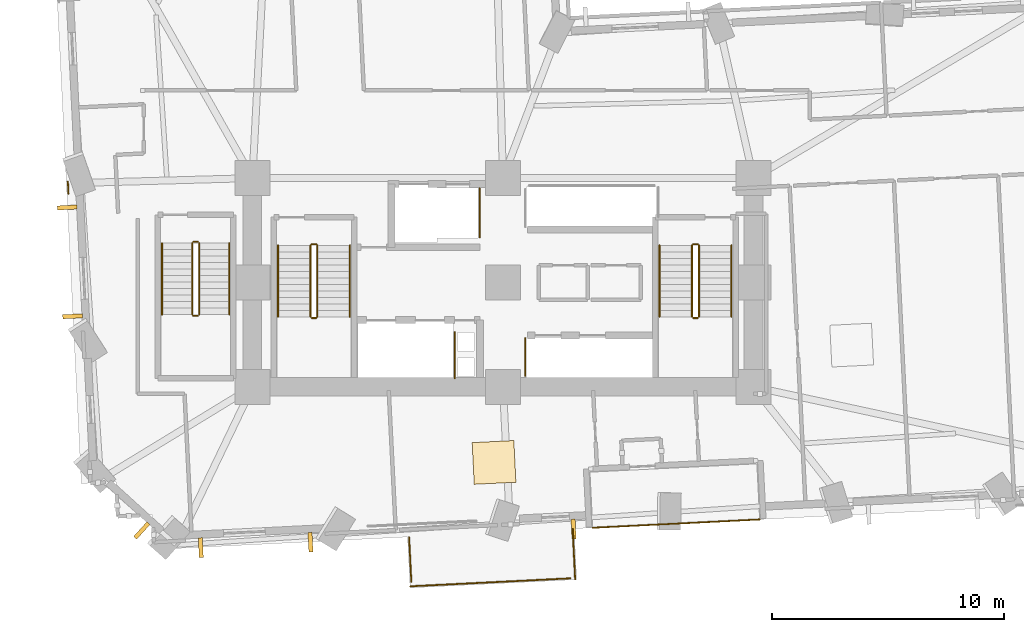
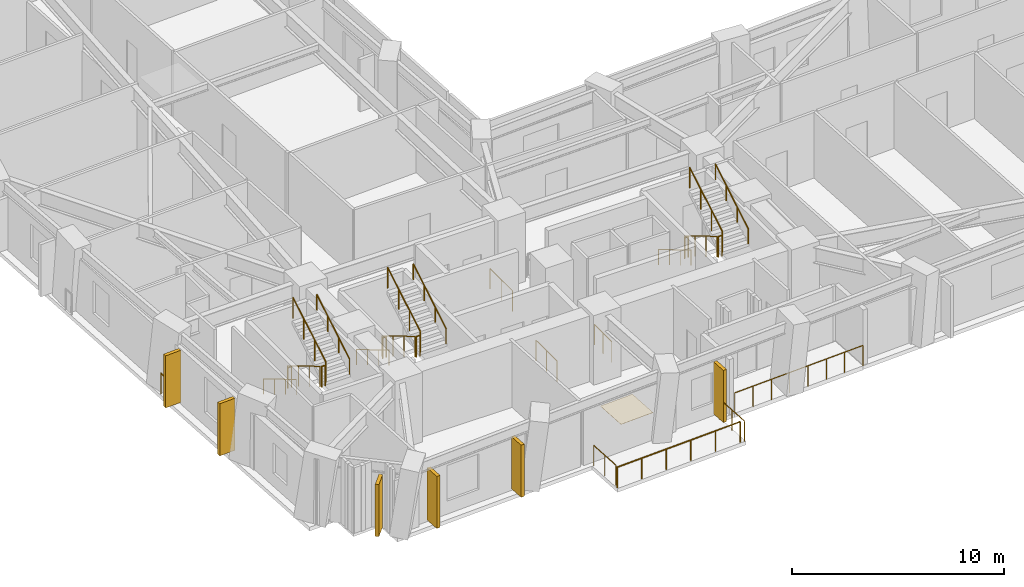
# One storey, part 12 of 15: 26 railings, 6 shading devices, 1 covering.
"""IFC4 building model written with IfcOpenShell, lengths in metres."""

from ifc_helpers import new_model, si_unit, direction, frame, origin, origin_2d, place, context, subcontext, project, spatial, rectangle, circle, extrude, material, layer, layer_set, type_object, element, save


model = new_model("IFC4")

# Units and contexts
model_context = context("Model", 3, precision=1e-05, world=origin(), true_north=direction((0.0, 1.0)))
body_context = subcontext(model_context, "Body", "Model", "MODEL_VIEW")
ifc_project = project(units=[si_unit("LENGTHUNIT", "METRE"), si_unit("AREAUNIT", "SQUARE_METRE"), si_unit("VOLUMEUNIT", "CUBIC_METRE"), si_unit("PLANEANGLEUNIT", "RADIAN"), si_unit("MASSUNIT", "GRAM", prefix="KILO")], contexts=[model_context])

# Site, building, storey
site_placement = place(None, origin())
site = spatial("IfcSite", under=ifc_project, at=site_placement, CompositionType="ELEMENT")
building_placement = place(site_placement, origin())
building = spatial("IfcBuilding", under=site, at=building_placement, Name="Gaonmaruhae Medical Tower", CompositionType="ELEMENT")
storey_placement = place(building_placement, frame((0.0, 0.0, 35.0)))
storey = spatial("IfcBuildingStorey", under=building, at=storey_placement, Name="L07", CompositionType="ELEMENT", Elevation=35.0)

# Covering
ifc_material_1 = material(Name="Seamless clinical vinyl flooring", Category="finish")
ifc_layer_1 = layer(ifc_material_1, 0.014892578125)
ifc_layer_set_1 = layer_set([ifc_layer_1], Name="Seamless clinical vinyl flooring")
covering_type = type_object("IfcCoveringType", Name="FLR-01 Seamless Clinical Antistatic Vinyl Flooring", PredefinedType="FLOORING", material=ifc_layer_set_1)
covering_placement = place(storey_placement, frame((24.414794921875, 4.543212890625, 0.0), z_axis=(0.0, 0.0, 1.0), x_axis=(0.998763127564, 0.049721373869, 0.0)))
element("IfcCovering", 1, at=covering_placement, inside=storey, type_object=covering_type, Name="L07 Clinical Room Vinyl Flooring 2", PredefinedType="FLOORING", context=body_context, shape_type="SweptSolid", body=[
    extrude(rectangle(XDim=1.800048828125, YDim=1.800048828125, at=origin_2d()), origin(), (0.0, 0.0, 1.0), 0.014892578125),
])

# Railings
ifc_material_2 = material(Name="Stainless steel 316L and laminated safety glass", Category="steel")
ifc_layer_2 = layer(ifc_material_2, 0.080078125)
ifc_layer_set_2 = layer_set([ifc_layer_2], Name="Stainless steel 316L and laminated safety glass")
railing_type_1 = type_object("IfcRailingType", Name="GD-120 Outdoor Terrace Safety Glass & Steel Balustrade", PredefinedType="BALUSTRADE", material=ifc_layer_set_2)
railing_1_placement = place(storey_placement, frame((28.672119140625, 1.726318359375, 0.0)))
element("IfcRailing", 2, at=railing_1_placement, inside=storey, type_object=railing_type_1, Name="L07 Terrace Safety Guard RL-SLB-L07-TER-01", PredefinedType="BALUSTRADE", context=body_context, shape_type="SweptSolid", body=[
    extrude(circle(Radius=0.02392578125, at=origin_2d()), frame((0.0, 0.0, 1.17578125), z_axis=(0.9987620442, 0.049743130838, 0.0), x_axis=(-0.049743130838, 0.9987620442, 0.0)), (0.0, 0.0, 1.0), 7.2001953125),
    extrude(circle(Radius=0.02099609375, at=origin_2d()), origin(), (0.0, 0.0, 1.0), 1.15185546875),
    extrude(circle(Radius=0.02099609375, at=origin_2d()), frame((1.02734375, 0.05126953125, 0.0)), (0.0, 0.0, 1.0), 1.15185546875),
    extrude(circle(Radius=0.02099609375, at=origin_2d()), frame((2.0546875, 0.102294921875, 0.0)), (0.0, 0.0, 1.0), 1.15185546875),
    extrude(circle(Radius=0.02099609375, at=origin_2d()), frame((3.08203125, 0.153564453125, 0.0)), (0.0, 0.0, 1.0), 1.15185546875),
    extrude(circle(Radius=0.02099609375, at=origin_2d()), frame((4.109130859375, 0.20458984375, 0.0)), (0.0, 0.0, 1.0), 1.15185546875),
    extrude(circle(Radius=0.02099609375, at=origin_2d()), frame((5.136474609375, 0.255859375, 0.0)), (0.0, 0.0, 1.0), 1.15185546875),
    extrude(circle(Radius=0.02099609375, at=origin_2d()), frame((6.163818359375, 0.306884765625, 0.0)), (0.0, 0.0, 1.0), 1.15185546875),
    extrude(circle(Radius=0.02099609375, at=origin_2d()), frame((7.191162109375, 0.358154296875, 0.0)), (0.0, 0.0, 1.0), 1.15185546875),
])
railing_2_placement = place(storey_placement, frame((6.067138671875, 16.128662109375, 0.0)))
element("IfcRailing", 3, at=railing_2_placement, inside=storey, type_object=railing_type_1, Name="L07 Perimeter Slab Edge Safety Balustrade 01", PredefinedType="BALUSTRADE", context=body_context, shape_type="SweptSolid", body=[
    extrude(circle(Radius=0.02392578125, at=origin_2d()), frame((0.0, 0.0, 1.17578125), z_axis=(-0.049797032909, 0.998759358161, 0.0), x_axis=(-0.998759358161, -0.049797032909, 0.0)), (0.0, 0.0, 1.0), 0.519775390625),
    extrude(circle(Radius=0.02099609375, at=origin_2d()), origin(), (0.0, 0.0, 1.0), 1.15185546875),
    extrude(circle(Radius=0.02099609375, at=origin_2d()), frame((-0.02587890625, 0.51904296875, 0.0)), (0.0, 0.0, 1.0), 1.15185546875),
])
railing_3_placement = place(storey_placement, frame((27.80419921875, 1.6630859375, 0.0)))
element("IfcRailing", 4, at=railing_3_placement, inside=storey, type_object=railing_type_1, Name="L07 Perimeter Slab Edge Safety Balustrade 08", PredefinedType="BALUSTRADE", context=body_context, shape_type="SweptSolid", body=[
    extrude(circle(Radius=0.02392578125, at=origin_2d()), frame((0.0, 0.0, 1.17578125), z_axis=(0.049734663308, -0.998762465887, 0.0), x_axis=(0.998762465887, 0.049734663308, 0.0)), (0.0, 0.0, 1.0), 2.159912109375),
    extrude(circle(Radius=0.02099609375, at=origin_2d()), origin(), (0.0, 0.0, 1.0), 1.15185546875),
    extrude(circle(Radius=0.02099609375, at=origin_2d()), frame((0.0537109375, -1.07861328125, 0.0)), (0.0, 0.0, 1.0), 1.15185546875),
    extrude(circle(Radius=0.02099609375, at=origin_2d()), frame((0.107421875, -2.1572265625, 0.0)), (0.0, 0.0, 1.0), 1.15185546875),
])
railing_4_placement = place(storey_placement, frame((27.7080078125, -0.4541015625, 0.0)))
element("IfcRailing", 5, at=railing_4_placement, inside=storey, type_object=railing_type_1, Name="L07 Perimeter Slab Edge Safety Balustrade 09", PredefinedType="BALUSTRADE", context=body_context, shape_type="SweptSolid", body=[
    extrude(circle(Radius=0.02392578125, at=origin_2d()), frame((0.0, 0.0, 1.17578125), z_axis=(-0.998763154744, -0.049720827892, 0.0), x_axis=(0.049720827892, -0.998763154744, 0.0)), (0.0, 0.0, 1.0), 6.90869140625),
    extrude(circle(Radius=0.02099609375, at=origin_2d()), origin(), (0.0, 0.0, 1.0), 1.15185546875),
    extrude(circle(Radius=0.02099609375, at=origin_2d()), frame((-1.380126953125, -0.068603515625, 0.0)), (0.0, 0.0, 1.0), 1.15185546875),
    extrude(circle(Radius=0.02099609375, at=origin_2d()), frame((-2.760009765625, -0.137451171875, 0.0)), (0.0, 0.0, 1.0), 1.15185546875),
    extrude(circle(Radius=0.02099609375, at=origin_2d()), frame((-4.14013671875, -0.2060546875, 0.0)), (0.0, 0.0, 1.0), 1.15185546875),
    extrude(circle(Radius=0.02099609375, at=origin_2d()), frame((-5.52001953125, -0.27490234375, 0.0)), (0.0, 0.0, 1.0), 1.15185546875),
    extrude(circle(Radius=0.02099609375, at=origin_2d()), frame((-6.900146484375, -0.343505859375, 0.0)), (0.0, 0.0, 1.0), 1.15185546875),
])
railing_5_placement = place(storey_placement, frame((20.848388671875, -0.60693359375, 0.0)))
element("IfcRailing", 6, at=railing_5_placement, inside=storey, type_object=railing_type_1, Name="L07 Perimeter Slab Edge Safety Balustrade 10", PredefinedType="BALUSTRADE", context=body_context, shape_type="SweptSolid", body=[
    extrude(circle(Radius=0.02392578125, at=origin_2d()), frame((0.0, 0.0, 1.17578125), z_axis=(-0.049677805695, 0.998765295563, 0.0), x_axis=(-0.998765295563, -0.049677805695, 0.0)), (0.0, 0.0, 1.0), 1.921630859375),
    extrude(circle(Radius=0.02099609375, at=origin_2d()), origin(), (0.0, 0.0, 1.0), 1.15185546875),
    extrude(circle(Radius=0.02099609375, at=origin_2d()), frame((-0.0478515625, 0.95947265625, 0.0)), (0.0, 0.0, 1.0), 1.15185546875),
    extrude(circle(Radius=0.02099609375, at=origin_2d()), frame((-0.095458984375, 1.919189453125, 0.0)), (0.0, 0.0, 1.0), 1.15185546875),
])
ifc_material_3 = material(Name="Stainless steel 304 handrail", Category="steel")
railing_type_2 = type_object("IfcRailingType", Name="HR-092 Continuous Stainless Steel Stair Handrail", PredefinedType="HANDRAIL", material=ifc_material_3)
railing_6_placement = place(storey_placement, frame((15.10009765625, 13.89990234375, 0.166748046875)))
element("IfcRailing", 7, at=railing_6_placement, inside=storey, type_object=railing_type_2, Name="L07 ST-01 stair handrail 1", PredefinedType="HANDRAIL", context=body_context, shape_type="SweptSolid", body=[
    extrude(circle(Radius=0.02392578125, at=origin_2d()), frame((0.0, 0.0, 0.8759765625), z_axis=(0.0, -0.859290745958, 0.51148745235), x_axis=(1.0, 0.0, 0.0)), (0.0, 0.0, 1.0), 3.584228515625),
    extrude(circle(Radius=0.02099609375, at=origin_2d()), origin(), (0.0, 0.0, 1.0), 0.851806640625),
    extrude(circle(Radius=0.02099609375, at=origin_2d()), frame((0.0, -1.026611328125, 0.611083984375)), (0.0, 0.0, 1.0), 0.851806640625),
    extrude(circle(Radius=0.02099609375, at=origin_2d()), frame((0.0, -2.05322265625, 1.22216796875)), (0.0, 0.0, 1.0), 0.851806640625),
    extrude(circle(Radius=0.02099609375, at=origin_2d()), frame((0.0, -3.079833984375, 1.833251953125)), (0.0, 0.0, 1.0), 0.851806640625),
])
railing_7_placement = place(storey_placement, frame((18.199951171875, 10.820068359375, 2.166748046875)))
element("IfcRailing", 8, at=railing_7_placement, inside=storey, type_object=railing_type_2, Name="L07 ST-01 stair handrail 2", PredefinedType="HANDRAIL", context=body_context, shape_type="SweptSolid", body=[
    extrude(circle(Radius=0.02392578125, at=origin_2d()), frame((0.0, 0.0, 0.8759765625), z_axis=(0.0, 0.859290745958, 0.51148745235), x_axis=(-1.0, 0.0, 0.0)), (0.0, 0.0, 1.0), 3.584228515625),
    extrude(circle(Radius=0.02099609375, at=origin_2d()), origin(), (0.0, 0.0, 1.0), 0.851806640625),
    extrude(circle(Radius=0.02099609375, at=origin_2d()), frame((0.0, 1.026611328125, 0.611083984375)), (0.0, 0.0, 1.0), 0.851806640625),
    extrude(circle(Radius=0.02099609375, at=origin_2d()), frame((0.0, 2.05322265625, 1.22216796875)), (0.0, 0.0, 1.0), 0.851806640625),
    extrude(circle(Radius=0.02099609375, at=origin_2d()), frame((0.0, 3.079833984375, 1.833251953125)), (0.0, 0.0, 1.0), 0.851806640625),
])
railing_8_placement = place(storey_placement, frame((31.550048828125, 13.89990234375, 0.166748046875)))
element("IfcRailing", 9, at=railing_8_placement, inside=storey, type_object=railing_type_2, Name="L07 ST-02 stair handrail 1", PredefinedType="HANDRAIL", context=body_context, shape_type="SweptSolid", body=[
    extrude(circle(Radius=0.02392578125, at=origin_2d()), frame((0.0, 0.0, 0.8759765625), z_axis=(0.0, -0.859290745958, 0.51148745235), x_axis=(1.0, 0.0, 0.0)), (0.0, 0.0, 1.0), 3.584228515625),
    extrude(circle(Radius=0.02099609375, at=origin_2d()), origin(), (0.0, 0.0, 1.0), 0.851806640625),
    extrude(circle(Radius=0.02099609375, at=origin_2d()), frame((0.0, -1.026611328125, 0.611083984375)), (0.0, 0.0, 1.0), 0.851806640625),
    extrude(circle(Radius=0.02099609375, at=origin_2d()), frame((0.0, -2.05322265625, 1.22216796875)), (0.0, 0.0, 1.0), 0.851806640625),
    extrude(circle(Radius=0.02099609375, at=origin_2d()), frame((0.0, -3.079833984375, 1.833251953125)), (0.0, 0.0, 1.0), 0.851806640625),
])
railing_9_placement = place(storey_placement, frame((34.64990234375, 10.820068359375, 2.166748046875)))
element("IfcRailing", 10, at=railing_9_placement, inside=storey, type_object=railing_type_2, Name="L07 ST-02 stair handrail 2", PredefinedType="HANDRAIL", context=body_context, shape_type="SweptSolid", body=[
    extrude(circle(Radius=0.02392578125, at=origin_2d()), frame((0.0, 0.0, 0.8759765625), z_axis=(0.0, 0.859290745958, 0.51148745235), x_axis=(-1.0, 0.0, 0.0)), (0.0, 0.0, 1.0), 3.584228515625),
    extrude(circle(Radius=0.02099609375, at=origin_2d()), origin(), (0.0, 0.0, 1.0), 0.851806640625),
    extrude(circle(Radius=0.02099609375, at=origin_2d()), frame((0.0, 1.026611328125, 0.611083984375)), (0.0, 0.0, 1.0), 0.851806640625),
    extrude(circle(Radius=0.02099609375, at=origin_2d()), frame((0.0, 2.05322265625, 1.22216796875)), (0.0, 0.0, 1.0), 0.851806640625),
    extrude(circle(Radius=0.02099609375, at=origin_2d()), frame((0.0, 3.079833984375, 1.833251953125)), (0.0, 0.0, 1.0), 0.851806640625),
])
railing_10_placement = place(storey_placement, frame((10.10009765625, 14.0, 0.166748046875)))
element("IfcRailing", 11, at=railing_10_placement, inside=storey, type_object=railing_type_2, Name="L07 ST-03 stair handrail 1", PredefinedType="HANDRAIL", context=body_context, shape_type="SweptSolid", body=[
    extrude(circle(Radius=0.02392578125, at=origin_2d()), frame((0.0, 0.0, 0.8759765625), z_axis=(0.0, -0.859308565015, 0.511457515432), x_axis=(1.0, 0.0, 0.0)), (0.0, 0.0, 1.0), 3.58447265625),
    extrude(circle(Radius=0.02099609375, at=origin_2d()), origin(), (0.0, 0.0, 1.0), 0.851806640625),
    extrude(circle(Radius=0.02099609375, at=origin_2d()), frame((0.0, -1.026611328125, 0.611083984375)), (0.0, 0.0, 1.0), 0.851806640625),
    extrude(circle(Radius=0.02099609375, at=origin_2d()), frame((0.0, -2.053466796875, 1.22216796875)), (0.0, 0.0, 1.0), 0.851806640625),
    extrude(circle(Radius=0.02099609375, at=origin_2d()), frame((0.0, -3.080078125, 1.833251953125)), (0.0, 0.0, 1.0), 0.851806640625),
])
railing_11_placement = place(storey_placement, frame((13.0, 10.919921875, 2.166748046875)))
element("IfcRailing", 12, at=railing_11_placement, inside=storey, type_object=railing_type_2, Name="L07 ST-03 stair handrail 2", PredefinedType="HANDRAIL", context=body_context, shape_type="SweptSolid", body=[
    extrude(circle(Radius=0.02392578125, at=origin_2d()), frame((0.0, 0.0, 0.8759765625), z_axis=(0.0, 0.859308565015, 0.511457515432), x_axis=(-1.0, 0.0, 0.0)), (0.0, 0.0, 1.0), 3.58447265625),
    extrude(circle(Radius=0.02099609375, at=origin_2d()), origin(), (0.0, 0.0, 1.0), 0.851806640625),
    extrude(circle(Radius=0.02099609375, at=origin_2d()), frame((0.0, 1.026611328125, 0.611083984375)), (0.0, 0.0, 1.0), 0.851806640625),
    extrude(circle(Radius=0.02099609375, at=origin_2d()), frame((0.0, 2.053466796875, 1.22216796875)), (0.0, 0.0, 1.0), 0.851806640625),
    extrude(circle(Radius=0.02099609375, at=origin_2d()), frame((0.0, 3.080078125, 1.833251953125)), (0.0, 0.0, 1.0), 0.851806640625),
])

# Shading devices
ifc_material_4 = material(Name="Pigmented coral precast concrete C45/55", Category="concrete")
shading_device_type = type_object("IfcShadingDeviceType", Name="SD-FIN1 Tower Vertical Coral Precast Shading Fin", PredefinedType="USERDEFINED", material=ifc_material_4)
for number, where, z_axis, x_axis, name in (
    (13, (16.501220703125, 1.10546875, 0.08251953125), (0.0, 0.0, 1.0), (-0.998763127564, -0.049721373869, 0.0), "L07 Vertical Coral Precast Shading Fin S01"),
    (14, (11.772705078125, 0.8701171875, 0.08251953125), (0.0, 0.0, 1.0), (-0.998763127564, -0.049721373869, 0.0), "L07 Vertical Coral Precast Shading Fin S01B"),
    (15, (27.843994140625, 1.670166015625, 0.072509765625), (0.0, 0.0, 1.0), (-0.998763995213, -0.049703942156, 0.0), "L07 Vertical Coral Precast Shading Fin S03"),
    (16, (6.2451171875, 10.843017578125, 0.08251953125), (0.0, 0.0, 1.0), (-0.049703942156, 0.998763995213, 0.0), "L07 Vertical Coral Precast Shading Fin W05"),
    (17, (6.01171875, 15.5341796875, 0.08251953125), (0.0, 0.0, 1.0), (-0.049703942156, 0.998763995213, 0.0), "L07 Vertical Coral Precast Shading Fin W05B"),
    (18, (9.2275390625, 1.60595703125, 0.08251953125), (0.0, 0.0, 1.0), (-0.741390500932, 0.671073859667, 0.0), "L07 Vertical Coral Precast Shading Fin W07"),
):
    element("IfcShadingDevice", number, at=place(storey_placement, frame(where, z_axis=z_axis, x_axis=x_axis)), inside=storey, type_object=shading_device_type, Name=name, ObjectType="FIN", PredefinedType="USERDEFINED", context=body_context, shape_type="SweptSolid", body=[
        extrude(rectangle(XDim=0.179931640625, YDim=0.85009765625, at=origin_2d()), origin(), (0.0, 0.0, 1.0), 3.0),
    ])

# Railings
ifc_material_5 = material(Name="Stainless steel 304 balustrade", Category="steel")
railing_type_3 = type_object("IfcRailingType", Name="SG-112 Stair Well & Ramp Void Safety Balustrade", PredefinedType="BALUSTRADE", material=ifc_material_5)
railing_12_placement = place(storey_placement, frame((16.5, 13.89990234375, 0.166748046875)))
element("IfcRailing", 19, at=railing_12_placement, inside=storey, type_object=railing_type_3, Name="L07 ST-01 stair guard 1", PredefinedType="BALUSTRADE", context=body_context, shape_type="SweptSolid", body=[
    extrude(circle(Radius=0.02392578125, at=origin_2d()), frame((0.0, 0.0, 1.17578125), z_axis=(0.0, -0.859290745958, 0.51148745235), x_axis=(1.0, 0.0, 0.0)), (0.0, 0.0, 1.0), 3.584228515625),
    extrude(circle(Radius=0.02099609375, at=origin_2d()), origin(), (0.0, 0.0, 1.0), 1.15185546875),
    extrude(circle(Radius=0.02099609375, at=origin_2d()), frame((0.0, -1.026611328125, 0.611083984375)), (0.0, 0.0, 1.0), 1.15185546875),
    extrude(circle(Radius=0.02099609375, at=origin_2d()), frame((0.0, -2.05322265625, 1.22216796875)), (0.0, 0.0, 1.0), 1.15185546875),
    extrude(circle(Radius=0.02099609375, at=origin_2d()), frame((0.0, -3.079833984375, 1.833251953125)), (0.0, 0.0, 1.0), 1.15185546875),
])
railing_13_placement = place(storey_placement, frame((16.550048828125, 10.77001953125, 2.0)))
element("IfcRailing", 20, at=railing_13_placement, inside=storey, type_object=railing_type_3, Name="L07 ST-01 stair guard 2", PredefinedType="BALUSTRADE", context=body_context, shape_type="SweptSolid", body=[
    extrude(circle(Radius=0.02392578125, at=origin_2d()), frame((0.0, 0.0, 1.17578125), z_axis=(1.0, 0.0, 0.0), x_axis=(0.0, 1.0, 0.0)), (0.0, 0.0, 1.0), 0.199951171875),
    extrude(circle(Radius=0.02099609375, at=origin_2d()), origin(), (0.0, 0.0, 1.0), 1.15185546875),
    extrude(circle(Radius=0.02099609375, at=origin_2d()), frame((0.199951171875, 0.0, 0.0)), (0.0, 0.0, 1.0), 1.15185546875),
])
railing_14_placement = place(storey_placement, frame((16.800048828125, 10.820068359375, 2.166748046875)))
element("IfcRailing", 21, at=railing_14_placement, inside=storey, type_object=railing_type_3, Name="L07 ST-01 stair guard 3", PredefinedType="BALUSTRADE", context=body_context, shape_type="SweptSolid", body=[
    extrude(circle(Radius=0.02392578125, at=origin_2d()), frame((0.0, 0.0, 1.17578125), z_axis=(0.0, 0.859290745958, 0.51148745235), x_axis=(-1.0, 0.0, 0.0)), (0.0, 0.0, 1.0), 3.584228515625),
    extrude(circle(Radius=0.02099609375, at=origin_2d()), origin(), (0.0, 0.0, 1.0), 1.15185546875),
    extrude(circle(Radius=0.02099609375, at=origin_2d()), frame((0.0, 1.026611328125, 0.611083984375)), (0.0, 0.0, 1.0), 1.15185546875),
    extrude(circle(Radius=0.02099609375, at=origin_2d()), frame((0.0, 2.05322265625, 1.22216796875)), (0.0, 0.0, 1.0), 1.15185546875),
    extrude(circle(Radius=0.02099609375, at=origin_2d()), frame((0.0, 3.079833984375, 1.833251953125)), (0.0, 0.0, 1.0), 1.15185546875),
])
railing_15_placement = place(storey_placement, frame((16.550048828125, 13.949951171875, 0.0)))
element("IfcRailing", 22, at=railing_15_placement, inside=storey, type_object=railing_type_3, Name="L07 ST-01 stair guard 4", PredefinedType="BALUSTRADE", context=body_context, shape_type="SweptSolid", body=[
    extrude(circle(Radius=0.02392578125, at=origin_2d()), frame((0.0, 0.0, 1.17578125), z_axis=(1.0, 0.0, 0.0), x_axis=(0.0, 1.0, 0.0)), (0.0, 0.0, 1.0), 0.199951171875),
    extrude(circle(Radius=0.02099609375, at=origin_2d()), origin(), (0.0, 0.0, 1.0), 1.15185546875),
    extrude(circle(Radius=0.02099609375, at=origin_2d()), frame((0.199951171875, 0.0, 0.0)), (0.0, 0.0, 1.0), 1.15185546875),
])
railing_16_placement = place(storey_placement, frame((32.949951171875, 13.89990234375, 0.166748046875)))
element("IfcRailing", 23, at=railing_16_placement, inside=storey, type_object=railing_type_3, Name="L07 ST-02 stair guard 1", PredefinedType="BALUSTRADE", context=body_context, shape_type="SweptSolid", body=[
    extrude(circle(Radius=0.02392578125, at=origin_2d()), frame((0.0, 0.0, 1.17578125), z_axis=(0.0, -0.859290745958, 0.51148745235), x_axis=(1.0, 0.0, 0.0)), (0.0, 0.0, 1.0), 3.584228515625),
    extrude(circle(Radius=0.02099609375, at=origin_2d()), origin(), (0.0, 0.0, 1.0), 1.15185546875),
    extrude(circle(Radius=0.02099609375, at=origin_2d()), frame((0.0, -1.026611328125, 0.611083984375)), (0.0, 0.0, 1.0), 1.15185546875),
    extrude(circle(Radius=0.02099609375, at=origin_2d()), frame((0.0, -2.05322265625, 1.22216796875)), (0.0, 0.0, 1.0), 1.15185546875),
    extrude(circle(Radius=0.02099609375, at=origin_2d()), frame((0.0, -3.079833984375, 1.833251953125)), (0.0, 0.0, 1.0), 1.15185546875),
])
railing_17_placement = place(storey_placement, frame((33.0, 10.77001953125, 2.0)))
element("IfcRailing", 24, at=railing_17_placement, inside=storey, type_object=railing_type_3, Name="L07 ST-02 stair guard 2", PredefinedType="BALUSTRADE", context=body_context, shape_type="SweptSolid", body=[
    extrude(circle(Radius=0.02392578125, at=origin_2d()), frame((0.0, 0.0, 1.17578125), z_axis=(1.0, 0.0, 0.0), x_axis=(0.0, 1.0, 0.0)), (0.0, 0.0, 1.0), 0.199951171875),
    extrude(circle(Radius=0.02099609375, at=origin_2d()), origin(), (0.0, 0.0, 1.0), 1.15185546875),
    extrude(circle(Radius=0.02099609375, at=origin_2d()), frame((0.199951171875, 0.0, 0.0)), (0.0, 0.0, 1.0), 1.15185546875),
])
railing_18_placement = place(storey_placement, frame((33.25, 10.820068359375, 2.166748046875)))
element("IfcRailing", 25, at=railing_18_placement, inside=storey, type_object=railing_type_3, Name="L07 ST-02 stair guard 3", PredefinedType="BALUSTRADE", context=body_context, shape_type="SweptSolid", body=[
    extrude(circle(Radius=0.02392578125, at=origin_2d()), frame((0.0, 0.0, 1.17578125), z_axis=(0.0, 0.859290745958, 0.51148745235), x_axis=(-1.0, 0.0, 0.0)), (0.0, 0.0, 1.0), 3.584228515625),
    extrude(circle(Radius=0.02099609375, at=origin_2d()), origin(), (0.0, 0.0, 1.0), 1.15185546875),
    extrude(circle(Radius=0.02099609375, at=origin_2d()), frame((0.0, 1.026611328125, 0.611083984375)), (0.0, 0.0, 1.0), 1.15185546875),
    extrude(circle(Radius=0.02099609375, at=origin_2d()), frame((0.0, 2.05322265625, 1.22216796875)), (0.0, 0.0, 1.0), 1.15185546875),
    extrude(circle(Radius=0.02099609375, at=origin_2d()), frame((0.0, 3.079833984375, 1.833251953125)), (0.0, 0.0, 1.0), 1.15185546875),
])
railing_19_placement = place(storey_placement, frame((33.0, 13.949951171875, 0.0)))
element("IfcRailing", 26, at=railing_19_placement, inside=storey, type_object=railing_type_3, Name="L07 ST-02 stair guard 4", PredefinedType="BALUSTRADE", context=body_context, shape_type="SweptSolid", body=[
    extrude(circle(Radius=0.02392578125, at=origin_2d()), frame((0.0, 0.0, 1.17578125), z_axis=(1.0, 0.0, 0.0), x_axis=(0.0, 1.0, 0.0)), (0.0, 0.0, 1.0), 0.199951171875),
    extrude(circle(Radius=0.02099609375, at=origin_2d()), origin(), (0.0, 0.0, 1.0), 1.15185546875),
    extrude(circle(Radius=0.02099609375, at=origin_2d()), frame((0.199951171875, 0.0, 0.0)), (0.0, 0.0, 1.0), 1.15185546875),
])
railing_20_placement = place(storey_placement, frame((11.39990234375, 14.0, 0.166748046875)))
element("IfcRailing", 27, at=railing_20_placement, inside=storey, type_object=railing_type_3, Name="L07 ST-03 stair guard 1", PredefinedType="BALUSTRADE", context=body_context, shape_type="SweptSolid", body=[
    extrude(circle(Radius=0.02392578125, at=origin_2d()), frame((0.0, 0.0, 1.17578125), z_axis=(0.0, -0.859308565015, 0.511457515432), x_axis=(1.0, 0.0, 0.0)), (0.0, 0.0, 1.0), 3.58447265625),
    extrude(circle(Radius=0.02099609375, at=origin_2d()), origin(), (0.0, 0.0, 1.0), 1.15185546875),
    extrude(circle(Radius=0.02099609375, at=origin_2d()), frame((0.0, -1.026611328125, 0.611083984375)), (0.0, 0.0, 1.0), 1.15185546875),
    extrude(circle(Radius=0.02099609375, at=origin_2d()), frame((0.0, -2.053466796875, 1.22216796875)), (0.0, 0.0, 1.0), 1.15185546875),
    extrude(circle(Radius=0.02099609375, at=origin_2d()), frame((0.0, -3.080078125, 1.833251953125)), (0.0, 0.0, 1.0), 1.15185546875),
])
railing_21_placement = place(storey_placement, frame((11.449951171875, 10.8701171875, 2.0)))
element("IfcRailing", 28, at=railing_21_placement, inside=storey, type_object=railing_type_3, Name="L07 ST-03 stair guard 2", PredefinedType="BALUSTRADE", context=body_context, shape_type="SweptSolid", body=[
    extrude(circle(Radius=0.02392578125, at=origin_2d()), frame((0.0, 0.0, 1.17578125), z_axis=(1.0, 0.0, 0.0), x_axis=(0.0, 1.0, 0.0)), (0.0, 0.0, 1.0), 0.199951171875),
    extrude(circle(Radius=0.02099609375, at=origin_2d()), origin(), (0.0, 0.0, 1.0), 1.15185546875),
    extrude(circle(Radius=0.02099609375, at=origin_2d()), frame((0.199951171875, 0.0, 0.0)), (0.0, 0.0, 1.0), 1.15185546875),
])
railing_22_placement = place(storey_placement, frame((11.699951171875, 10.919921875, 2.166748046875)))
element("IfcRailing", 29, at=railing_22_placement, inside=storey, type_object=railing_type_3, Name="L07 ST-03 stair guard 3", PredefinedType="BALUSTRADE", context=body_context, shape_type="SweptSolid", body=[
    extrude(circle(Radius=0.02392578125, at=origin_2d()), frame((0.0, 0.0, 1.17578125), z_axis=(0.0, 0.859308565015, 0.511457515432), x_axis=(-1.0, 0.0, 0.0)), (0.0, 0.0, 1.0), 3.58447265625),
    extrude(circle(Radius=0.02099609375, at=origin_2d()), origin(), (0.0, 0.0, 1.0), 1.15185546875),
    extrude(circle(Radius=0.02099609375, at=origin_2d()), frame((0.0, 1.026611328125, 0.611083984375)), (0.0, 0.0, 1.0), 1.15185546875),
    extrude(circle(Radius=0.02099609375, at=origin_2d()), frame((0.0, 2.053466796875, 1.22216796875)), (0.0, 0.0, 1.0), 1.15185546875),
    extrude(circle(Radius=0.02099609375, at=origin_2d()), frame((0.0, 3.080078125, 1.833251953125)), (0.0, 0.0, 1.0), 1.15185546875),
])
railing_23_placement = place(storey_placement, frame((11.449951171875, 14.050048828125, 0.0)))
element("IfcRailing", 30, at=railing_23_placement, inside=storey, type_object=railing_type_3, Name="L07 ST-03 stair guard 4", PredefinedType="BALUSTRADE", context=body_context, shape_type="SweptSolid", body=[
    extrude(circle(Radius=0.02392578125, at=origin_2d()), frame((0.0, 0.0, 1.17578125), z_axis=(1.0, 0.0, 0.0), x_axis=(0.0, 1.0, 0.0)), (0.0, 0.0, 1.0), 0.199951171875),
    extrude(circle(Radius=0.02099609375, at=origin_2d()), origin(), (0.0, 0.0, 1.0), 1.15185546875),
    extrude(circle(Radius=0.02099609375, at=origin_2d()), frame((0.199951171875, 0.0, 0.0)), (0.0, 0.0, 1.0), 1.15185546875),
])
railing_24_placement = place(storey_placement, frame((25.7548828125, 8.27001953125, 0.0)))
element("IfcRailing", 31, at=railing_24_placement, inside=storey, type_object=railing_type_3, Name="L07 Shaft Edge Safety Guard 12", PredefinedType="BALUSTRADE", context=body_context, shape_type="SweptSolid", body=[
    extrude(circle(Radius=0.02392578125, at=origin_2d()), frame((0.0, 0.0, 1.17578125), z_axis=(0.0, 1.0, 0.0), x_axis=(-1.0, 0.0, 0.0)), (0.0, 0.0, 1.0), 1.635009765625),
    extrude(circle(Radius=0.02099609375, at=origin_2d()), origin(), (0.0, 0.0, 1.0), 1.15185546875),
    extrude(circle(Radius=0.02099609375, at=origin_2d()), frame((0.0, 0.8173828125, 0.0)), (0.0, 0.0, 1.0), 1.15185546875),
    extrude(circle(Radius=0.02099609375, at=origin_2d()), frame((0.0, 1.635009765625, 0.0)), (0.0, 0.0, 1.0), 1.15185546875),
])
railing_25_placement = place(storey_placement, frame((22.719970703125, 10.159912109375, 0.0)))
element("IfcRailing", 32, at=railing_25_placement, inside=storey, type_object=railing_type_3, Name="L07 Shaft Edge Safety Guard 13", PredefinedType="BALUSTRADE", context=body_context, shape_type="SweptSolid", body=[
    extrude(circle(Radius=0.02392578125, at=origin_2d()), frame((0.0, 0.0, 1.17578125), z_axis=(0.0, -1.0, 0.0), x_axis=(1.0, 0.0, 0.0)), (0.0, 0.0, 1.0), 1.994873046875),
    extrude(circle(Radius=0.02099609375, at=origin_2d()), origin(), (0.0, 0.0, 1.0), 1.15185546875),
    extrude(circle(Radius=0.02099609375, at=origin_2d()), frame((0.0, -0.99755859375, 0.0)), (0.0, 0.0, 1.0), 1.15185546875),
    extrude(circle(Radius=0.02099609375, at=origin_2d()), frame((0.0, -1.994873046875, 0.0)), (0.0, 0.0, 1.0), 1.15185546875),
])
railing_26_placement = place(storey_placement, frame((23.794921875, 16.35498046875, 0.0)))
element("IfcRailing", 33, at=railing_26_placement, inside=storey, type_object=railing_type_3, Name="L07 Shaft Edge Safety Guard 14", PredefinedType="BALUSTRADE", context=body_context, shape_type="SweptSolid", body=[
    extrude(circle(Radius=0.02392578125, at=origin_2d()), frame((0.0, 0.0, 1.17578125), z_axis=(0.0, -1.0, 0.0), x_axis=(1.0, 0.0, 0.0)), (0.0, 0.0, 1.0), 2.10986328125),
    extrude(circle(Radius=0.02099609375, at=origin_2d()), origin(), (0.0, 0.0, 1.0), 1.15185546875),
    extrude(circle(Radius=0.02099609375, at=origin_2d()), frame((0.0, -1.054931640625, 0.0)), (0.0, 0.0, 1.0), 1.15185546875),
    extrude(circle(Radius=0.02099609375, at=origin_2d()), frame((0.0, -2.10986328125, 0.0)), (0.0, 0.0, 1.0), 1.15185546875),
])

save(model, "model.ifc")
